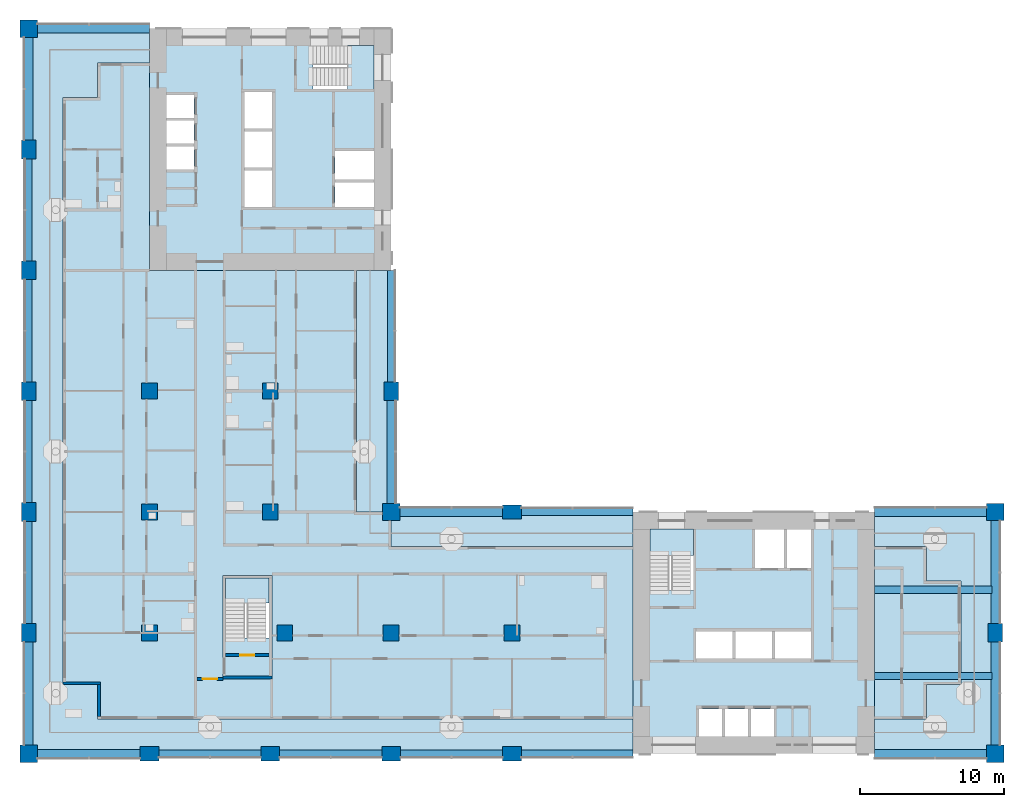
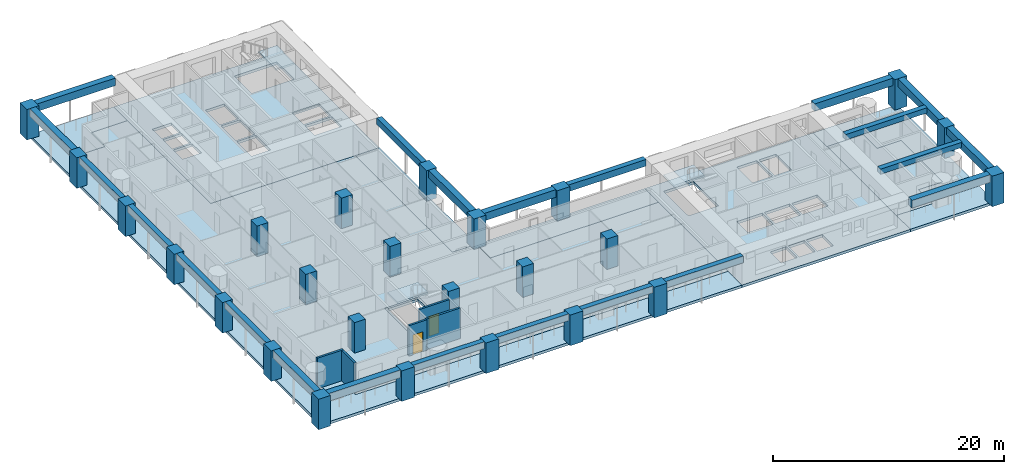
# One storey, part 1 of 18: 25 columns, 22 beams, 12 slabs, 5 walls, 2 doors, 2 openings, 3 elements without a shape of their own.
"""IFC4 building model written with IfcOpenShell, lengths in metres."""

from ifc_helpers import new_model, si_unit, direction, frame, frame_2d, origin, origin_2d, place, context, subcontext, project, spatial, polyline, rectangle, outline, extrude, material, layer, layer_set, material_profile, profile_set, type_object, element, fill, aggregate, save


model = new_model("IFC4")

# Units and contexts
model_context = context("Model", 3, precision=1e-05, world=origin(), true_north=direction((0.0, 1.0)))
body_context = subcontext(model_context, "Body", "Model", "MODEL_VIEW")
ifc_project = project(units=[si_unit("LENGTHUNIT", "METRE"), si_unit("AREAUNIT", "SQUARE_METRE"), si_unit("VOLUMEUNIT", "CUBIC_METRE"), si_unit("PLANEANGLEUNIT", "RADIAN"), si_unit("MASSUNIT", "GRAM", prefix="KILO")], contexts=[model_context])

# Site, building, storey
site_placement = place(None, origin())
site = spatial("IfcSite", under=ifc_project, at=site_placement, CompositionType="ELEMENT")
building_placement = place(site_placement, origin())
building = spatial("IfcBuilding", under=site, at=building_placement, Name="Vermilion Gate Residences", CompositionType="ELEMENT")
storey_placement = place(building_placement, frame((0.0, 0.0, 88.199951171875)))
storey = spatial("IfcBuildingStorey", under=building, at=storey_placement, Name="L21", CompositionType="ELEMENT", Elevation=88.199951171875)

# Columns
ifc_material_1 = material(Name="Concrete C70", Category="concrete")
ifc_material_profile_1 = material_profile(ifc_material_1, rectangle(XDim=1.10009765625, YDim=1.10009765625, at=origin_2d()), Name="RC-1100x1100")
ifc_profile_set_1 = profile_set([ifc_material_profile_1], Name="Concrete C70")
column_type_1 = type_object("IfcColumnType", Name="RC COLUMN 1100 X 1100 C70", PredefinedType="COLUMN", material=ifc_profile_set_1)
for number, where, z_axis, x_axis, name in (
    (1, (8.39990234375, 16.800048828125, 0.0), (0.0, 0.0, 1.0), (1.0, 0.0, 0.0), "Column 2-C L21"),
    (2, (8.39990234375, 25.199951171875, 0.0), (0.0, 0.0, 1.0), (1.0, 0.0, 0.0), "Column 2-D L21"),
    (3, (8.39990234375, 33.60009765625, 0.0), (0.0, 0.0, 1.0), (1.0, 0.0, 0.0), "Column 2-E L21"),
    (4, (17.800048828125, 16.800048828125, 0.0), (0.0, 0.0, 1.0), (1.0, 0.0, 0.0), "Column 3-C L21"),
    (5, (16.800048828125, 25.199951171875, 0.0), (0.0, 0.0, 1.0), (1.0, 0.0, 0.0), "Column 3-D L21"),
    (6, (16.800048828125, 33.60009765625, 0.0), (0.0, 0.0, 1.0), (1.0, 0.0, 0.0), "Column 3-E L21"),
    (7, (25.199951171875, 16.800048828125, 0.0), (0.0, 0.0, 1.0), (1.0, 0.0, 0.0), "Column 4-C L21"),
    (8, (33.60009765625, 16.800048828125, 0.0), (0.0, 0.0, 1.0), (1.0, 0.0, 0.0), "Column 5-C L21"),
):
    element("IfcColumn", number, at=place(storey_placement, frame(where, z_axis=z_axis, x_axis=x_axis)), inside=storey, type_object=column_type_1, Name=name, PredefinedType="COLUMN", context=body_context, shape_type="SweptSolid", body=[
        extrude(rectangle(XDim=1.10009765625, YDim=1.10009765625, at=origin_2d()), origin(), (0.0, 0.0, 1.0), 3.219970703125),
    ])
ifc_material_2 = material(Name="Concrete C70", Category="concrete")
ifc_material_profile_2 = material_profile(ifc_material_2, rectangle(XDim=1.199951171875, YDim=1.199951171875, at=origin_2d()), Name="RC-1200x1200")
ifc_profile_set_2 = profile_set([ifc_material_profile_2], Name="Concrete C70")
column_type_2 = type_object("IfcColumnType", Name="RC COLUMN 1200 X 1200 C70", PredefinedType="COLUMN", material=ifc_profile_set_2)
for number, where, z_axis, x_axis, name in (
    (9, (0.0, 8.39990234375, 0.0), (0.0, 0.0, 1.0), (1.0, 0.0, 0.0), "Column 1-B L21"),
    (10, (0.0, 58.800048828125, 0.0), (0.0, 0.0, 1.0), (1.0, 0.0, 0.0), "Column 1-H L21"),
    (11, (25.199951171875, 25.199951171875, 0.0), (0.0, 0.0, 1.0), (1.0, 0.0, 0.0), "Column 4-D L21"),
    (12, (67.199951171875, 8.39990234375, 0.0), (0.0, 0.0, 1.0), (1.0, 0.0, 0.0), "Column 9-B L21"),
    (13, (67.199951171875, 25.199951171875, 0.0), (0.0, 0.0, 1.0), (1.0, 0.0, 0.0), "Column 9-D L21"),
):
    element("IfcColumn", number, at=place(storey_placement, frame(where, z_axis=z_axis, x_axis=x_axis)), inside=storey, type_object=column_type_2, Name=name, PredefinedType="COLUMN", context=body_context, shape_type="SweptSolid", body=[
        extrude(rectangle(XDim=1.199951171875, YDim=1.199951171875, at=origin_2d()), origin(), (0.0, 0.0, 1.0), 3.219970703125),
    ])
ifc_material_3 = material(Name="Concrete C70", Category="concrete")
ifc_material_profile_3 = material_profile(ifc_material_3, rectangle(XDim=1.300048828125, YDim=1.0, at=origin_2d()), Name="RC-1300x1000")
ifc_profile_set_3 = profile_set([ifc_material_profile_3], Name="Concrete C70")
column_type_3 = type_object("IfcColumnType", Name="RC COLUMN 1300 X 1000 C70", PredefinedType="COLUMN", material=ifc_profile_set_3)
for number, where, z_axis, x_axis, name in (
    (14, (0.0, 16.800048828125, 0.0), (0.0, 0.0, 1.0), (0.0, 1.0, 0.0), "Column 1-C L21"),
    (15, (0.0, 25.199951171875, 0.0), (0.0, 0.0, 1.0), (0.0, 1.0, 0.0), "Column 1-D L21"),
    (16, (0.0, 33.60009765625, 0.0), (0.0, 0.0, 1.0), (0.0, 1.0, 0.0), "Column 1-E L21"),
    (17, (0.0, 42.0, 0.0), (0.0, 0.0, 1.0), (0.0, 1.0, 0.0), "Column 1-F L21"),
    (18, (0.0, 50.39990234375, 0.0), (0.0, 0.0, 1.0), (0.0, 1.0, 0.0), "Column 1-G L21"),
    (19, (8.39990234375, 8.39990234375, 0.0), (0.0, 0.0, 1.0), (1.0, 0.0, 0.0), "Column 2-B L21"),
    (20, (16.800048828125, 8.39990234375, 0.0), (0.0, 0.0, 1.0), (1.0, 0.0, 0.0), "Column 3-B L21"),
    (21, (25.199951171875, 8.39990234375, 0.0), (0.0, 0.0, 1.0), (1.0, 0.0, 0.0), "Column 4-B L21"),
    (22, (25.199951171875, 33.60009765625, 0.0), (0.0, 0.0, 1.0), (0.0, 1.0, 0.0), "Column 4-E L21"),
    (23, (33.60009765625, 8.39990234375, 0.0), (0.0, 0.0, 1.0), (1.0, 0.0, 0.0), "Column 5-B L21"),
    (24, (33.60009765625, 25.199951171875, 0.0), (0.0, 0.0, 1.0), (1.0, 0.0, 0.0), "Column 5-D L21"),
    (25, (67.199951171875, 16.800048828125, 0.0), (0.0, 0.0, 1.0), (0.0, 1.0, 0.0), "Column 9-C L21"),
):
    element("IfcColumn", number, at=place(storey_placement, frame(where, z_axis=z_axis, x_axis=x_axis)), inside=storey, type_object=column_type_3, Name=name, PredefinedType="COLUMN", context=body_context, shape_type="SweptSolid", body=[
        extrude(rectangle(XDim=1.300048828125, YDim=1.0, at=origin_2d()), origin(), (0.0, 0.0, 1.0), 3.219970703125),
    ])

# Beams
ifc_material_4 = material(Name="Concrete C60 red-oxide pigmented", Category="concrete")
ifc_material_profile_4 = material_profile(ifc_material_4, rectangle(XDim=0.60009765625, YDim=0.800048828125, at=origin_2d()), Name="RC-600x800")
ifc_profile_set_4 = profile_set([ifc_material_profile_4], Name="Concrete C60 red-oxide pigmented")
beam_type_1 = type_object("IfcBeamType", Name="RC CORNER EDGE BEAM 600 X 800 C60", PredefinedType="BEAM", material=ifc_profile_set_4)
for number, where, z_axis, x_axis, name in (
    (26, (0.60009765625, 8.39990234375, 2.820068359375), (1.0, 0.0, 0.0), (0.0, 1.0, 0.0), "Corner edge beam L21 1"),
    (27, (0.0, 9.0, 2.820068359375), (0.0, 1.0, 0.0), (-1.0, 0.0, 0.0), "Corner edge beam L21 2"),
):
    element("IfcBeam", number, at=place(storey_placement, frame(where, z_axis=z_axis, x_axis=x_axis)), inside=storey, type_object=beam_type_1, Name=name, PredefinedType="BEAM", context=body_context, shape_type="SweptSolid", body=[
        extrude(rectangle(XDim=0.60009765625, YDim=0.800048828125, at=origin_2d()), origin(), (0.0, 0.0, 1.0), 7.14990234375),
    ])
beam_1_placement = place(storey_placement, frame((0.60009765625, 58.800048828125, 2.820068359375), z_axis=(1.0, 0.0, 0.0), x_axis=(0.0, 1.0, 0.0)))
element("IfcBeam", 28, at=beam_1_placement, inside=storey, type_object=beam_type_1, Name="Corner edge beam L21 7", PredefinedType="BEAM", context=body_context, shape_type="SweptSolid", body=[
    extrude(rectangle(XDim=0.60009765625, YDim=0.800048828125, at=origin_2d()), origin(), (0.0, 0.0, 1.0), 7.7998046875),
])
for number, where, z_axis, x_axis, name in (
    (29, (0.0, 51.050048828125, 2.820068359375), (0.0, 1.0, 0.0), (-1.0, 0.0, 0.0), "Corner edge beam L21 8"),
    (30, (25.199951171875, 25.800048828125, 2.820068359375), (0.0, 1.0, 0.0), (-1.0, 0.0, 0.0), "Corner edge beam L21 11"),
    (31, (25.800048828125, 25.199951171875, 2.820068359375), (1.0, 0.0, 0.0), (0.0, 1.0, 0.0), "Corner edge beam L21 14"),
):
    element("IfcBeam", number, at=place(storey_placement, frame(where, z_axis=z_axis, x_axis=x_axis)), inside=storey, type_object=beam_type_1, Name=name, PredefinedType="BEAM", context=body_context, shape_type="SweptSolid", body=[
        extrude(rectangle(XDim=0.60009765625, YDim=0.800048828125, at=origin_2d()), origin(), (0.0, 0.0, 1.0), 7.14990234375),
    ])
beam_2_placement = place(storey_placement, frame((58.800048828125, 8.39990234375, 2.820068359375), z_axis=(1.0, 0.0, 0.0), x_axis=(0.0, 1.0, 0.0)))
element("IfcBeam", 32, at=beam_2_placement, inside=storey, type_object=beam_type_1, Name="Corner edge beam L21 17", PredefinedType="BEAM", context=body_context, shape_type="SweptSolid", body=[
    extrude(rectangle(XDim=0.60009765625, YDim=0.800048828125, at=origin_2d()), origin(), (0.0, 0.0, 1.0), 7.800048828125),
])
beam_3_placement = place(storey_placement, frame((67.199951171875, 9.0, 2.820068359375), z_axis=(0.0, 1.0, 0.0), x_axis=(-1.0, 0.0, 0.0)))
element("IfcBeam", 33, at=beam_3_placement, inside=storey, type_object=beam_type_1, Name="Corner edge beam L21 18", PredefinedType="BEAM", context=body_context, shape_type="SweptSolid", body=[
    extrude(rectangle(XDim=0.60009765625, YDim=0.800048828125, at=origin_2d()), origin(), (0.0, 0.0, 1.0), 7.14990234375),
])
beam_4_placement = place(storey_placement, frame((67.199951171875, 17.449951171875, 2.820068359375), z_axis=(0.0, 1.0, 0.0), x_axis=(-1.0, 0.0, 0.0)))
element("IfcBeam", 34, at=beam_4_placement, inside=storey, type_object=beam_type_1, Name="Corner edge beam L21 19", PredefinedType="BEAM", context=body_context, shape_type="SweptSolid", body=[
    extrude(rectangle(XDim=0.60009765625, YDim=0.800048828125, at=origin_2d()), origin(), (0.0, 0.0, 1.0), 7.150146484375),
])
beam_5_placement = place(storey_placement, frame((58.800048828125, 25.199951171875, 2.820068359375), z_axis=(1.0, 0.0, 0.0), x_axis=(0.0, 1.0, 0.0)))
element("IfcBeam", 35, at=beam_5_placement, inside=storey, type_object=beam_type_1, Name="Corner edge beam L21 20", PredefinedType="BEAM", context=body_context, shape_type="SweptSolid", body=[
    extrude(rectangle(XDim=0.60009765625, YDim=0.800048828125, at=origin_2d()), origin(), (0.0, 0.0, 1.0), 7.800048828125),
])
ifc_material_5 = material(Name="Concrete C60 red-oxide pigmented", Category="concrete")
ifc_material_profile_5 = material_profile(ifc_material_5, rectangle(XDim=0.5, YDim=0.699951171875, at=origin_2d()), Name="RC-500x700")
ifc_profile_set_5 = profile_set([ifc_material_profile_5], Name="Concrete C60 red-oxide pigmented")
beam_type_2 = type_object("IfcBeamType", Name="RC EDGE BEAM 500 X 700 C60", PredefinedType="BEAM", material=ifc_profile_set_5)
beam_6_placement = place(storey_placement, frame((0.0, 17.449951171875, 2.8701171875), z_axis=(0.0, 1.0, 0.0), x_axis=(-1.0, 0.0, 0.0)))
element("IfcBeam", 36, at=beam_6_placement, inside=storey, type_object=beam_type_2, Name="Edge beam L21 3", PredefinedType="BEAM", context=body_context, shape_type="SweptSolid", body=[
    extrude(rectangle(XDim=0.5, YDim=0.699951171875, at=origin_2d()), origin(), (0.0, 0.0, 1.0), 7.10009765625),
])
beam_7_placement = place(storey_placement, frame((0.0, 25.85009765625, 2.8701171875), z_axis=(0.0, 1.0, 0.0), x_axis=(-1.0, 0.0, 0.0)))
element("IfcBeam", 37, at=beam_7_placement, inside=storey, type_object=beam_type_2, Name="Edge beam L21 4", PredefinedType="BEAM", context=body_context, shape_type="SweptSolid", body=[
    extrude(rectangle(XDim=0.5, YDim=0.699951171875, at=origin_2d()), origin(), (0.0, 0.0, 1.0), 7.099853515625),
])
for number, where, z_axis, x_axis, name in (
    (38, (0.0, 34.25, 2.8701171875), (0.0, 1.0, 0.0), (-1.0, 0.0, 0.0), "Edge beam L21 5"),
    (39, (0.0, 42.64990234375, 2.8701171875), (0.0, 1.0, 0.0), (-1.0, 0.0, 0.0), "Edge beam L21 6"),
):
    element("IfcBeam", number, at=place(storey_placement, frame(where, z_axis=z_axis, x_axis=x_axis)), inside=storey, type_object=beam_type_2, Name=name, PredefinedType="BEAM", context=body_context, shape_type="SweptSolid", body=[
        extrude(rectangle(XDim=0.5, YDim=0.699951171875, at=origin_2d()), origin(), (0.0, 0.0, 1.0), 7.10009765625),
    ])
beam_8_placement = place(storey_placement, frame((9.050048828125, 8.39990234375, 2.8701171875), z_axis=(1.0, 0.0, 0.0), x_axis=(0.0, 1.0, 0.0)))
element("IfcBeam", 40, at=beam_8_placement, inside=storey, type_object=beam_type_2, Name="Edge beam L21 9", PredefinedType="BEAM", context=body_context, shape_type="SweptSolid", body=[
    extrude(rectangle(XDim=0.5, YDim=0.699951171875, at=origin_2d()), origin(), (0.0, 0.0, 1.0), 7.099853515625),
])
beam_9_placement = place(storey_placement, frame((17.449951171875, 8.39990234375, 2.8701171875), z_axis=(1.0, 0.0, 0.0), x_axis=(0.0, 1.0, 0.0)))
element("IfcBeam", 41, at=beam_9_placement, inside=storey, type_object=beam_type_2, Name="Edge beam L21 10", PredefinedType="BEAM", context=body_context, shape_type="SweptSolid", body=[
    extrude(rectangle(XDim=0.5, YDim=0.699951171875, at=origin_2d()), origin(), (0.0, 0.0, 1.0), 7.10009765625),
])
beam_10_placement = place(storey_placement, frame((25.199951171875, 34.25, 2.8701171875), z_axis=(0.0, 1.0, 0.0), x_axis=(-1.0, 0.0, 0.0)))
element("IfcBeam", 42, at=beam_10_placement, inside=storey, type_object=beam_type_2, Name="Edge beam L21 12", PredefinedType="BEAM", context=body_context, shape_type="SweptSolid", body=[
    extrude(rectangle(XDim=0.5, YDim=0.699951171875, at=origin_2d()), origin(), (0.0, 0.0, 1.0), 7.75),
])
beam_11_placement = place(storey_placement, frame((25.85009765625, 8.39990234375, 2.8701171875), z_axis=(1.0, 0.0, 0.0), x_axis=(0.0, 1.0, 0.0)))
element("IfcBeam", 43, at=beam_11_placement, inside=storey, type_object=beam_type_2, Name="Edge beam L21 13", PredefinedType="BEAM", context=body_context, shape_type="SweptSolid", body=[
    extrude(rectangle(XDim=0.5, YDim=0.699951171875, at=origin_2d()), origin(), (0.0, 0.0, 1.0), 7.099853515625),
])
for number, where, z_axis, x_axis, name in (
    (44, (34.25, 8.39990234375, 2.8701171875), (1.0, 0.0, 0.0), (0.0, 1.0, 0.0), "Edge beam L21 15"),
    (45, (34.25, 25.199951171875, 2.8701171875), (1.0, 0.0, 0.0), (0.0, 1.0, 0.0), "Edge beam L21 16"),
):
    element("IfcBeam", number, at=place(storey_placement, frame(where, z_axis=z_axis, x_axis=x_axis)), inside=storey, type_object=beam_type_2, Name=name, PredefinedType="BEAM", context=body_context, shape_type="SweptSolid", body=[
        extrude(rectangle(XDim=0.5, YDim=0.699951171875, at=origin_2d()), origin(), (0.0, 0.0, 1.0), 7.75),
    ])
ifc_material_6 = material(Name="Concrete C60", Category="concrete")
ifc_material_profile_6 = material_profile(ifc_material_6, rectangle(XDim=0.5, YDim=0.550048828125, at=origin_2d()), Name="RC-500x550")
ifc_profile_set_6 = profile_set([ifc_material_profile_6], Name="Concrete C60")
beam_type_3 = type_object("IfcBeamType", Name="RC WING BEAM 500 X 550 C60", PredefinedType="BEAM", material=ifc_profile_set_6)
for number, where, z_axis, x_axis, name in (
    (46, (58.800048828125, 13.800048828125, 2.945068359375), (1.0, 0.0, 0.0), (0.0, 1.0, 0.0), "Wing-end beam L21 1"),
    (47, (58.800048828125, 19.800048828125, 2.945068359375), (1.0, 0.0, 0.0), (0.0, 1.0, 0.0), "Wing-end beam L21 2"),
):
    element("IfcBeam", number, at=place(storey_placement, frame(where, z_axis=z_axis, x_axis=x_axis)), inside=storey, type_object=beam_type_3, Name=name, PredefinedType="BEAM", context=body_context, shape_type="SweptSolid", body=[
        extrude(rectangle(XDim=0.5, YDim=0.550048828125, at=origin_2d()), origin(), (0.0, 0.0, 1.0), 8.14990234375),
    ])

# Slabs
ifc_material_7 = material(Name="Concrete C50", Category="concrete")
ifc_layer_1 = layer(ifc_material_7, 0.280029296875)
ifc_layer_set_1 = layer_set([ifc_layer_1], Name="RC CORE FLOOR SLAB 280 C50")
slab_type_1 = type_object("IfcSlabType", Name="RC CORE FLOOR SLAB 280 C50", PredefinedType="FLOOR", material=ifc_layer_set_1)
slab_1_placement = place(storey_placement, frame((0.0, 0.0, -0.280029296875)))
element("IfcSlab", 48, at=slab_1_placement, inside=storey, type_object=slab_type_1, Name="Core floor slab A21", PredefinedType="FLOOR", context=body_context, shape_type="SweptSolid", body=[
    extrude(outline(polyline([(42.0, 8.39990234375), (58.800048828125, 8.39990234375), (58.800048828125, 25.199951171875), (42.0, 25.199951171875), (42.0, 8.39990234375)]), holes=[polyline([(46.60009765625, 11.5), (48.199951171875, 11.5), (48.199951171875, 9.60009765625), (46.60009765625, 9.60009765625), (46.60009765625, 11.5)]), polyline([(48.39990234375, 11.5), (50.0, 11.5), (50.0, 9.60009765625), (48.39990234375, 9.60009765625), (48.39990234375, 11.5)]), polyline([(50.199951171875, 11.5), (51.800048828125, 11.5), (51.800048828125, 9.60009765625), (50.199951171875, 9.60009765625), (50.199951171875, 11.5)]), polyline([(46.39990234375, 16.89990234375), (48.933349609375, 16.89990234375), (48.933349609375, 15.0), (46.39990234375, 15.0), (46.39990234375, 16.89990234375)]), polyline([(49.13330078125, 16.89990234375), (51.666748046875, 16.89990234375), (51.666748046875, 15.0), (49.13330078125, 15.0), (49.13330078125, 16.89990234375)]), polyline([(51.86669921875, 16.89990234375), (54.39990234375, 16.89990234375), (54.39990234375, 15.0), (51.86669921875, 15.0), (51.86669921875, 16.89990234375)]), polyline([(43.199951171875, 24.0), (46.199951171875, 24.0), (46.199951171875, 19.75), (43.199951171875, 19.75), (43.199951171875, 24.0)]), polyline([(52.5, 24.0), (52.5, 21.300048828125), (50.5, 21.300048828125), (50.5, 24.0), (52.5, 24.0)]), polyline([(54.39990234375, 24.0), (54.39990234375, 21.300048828125), (52.699951171875, 21.300048828125), (52.699951171875, 24.0), (54.39990234375, 24.0)])]), origin(), (0.0, 0.0, 1.0), 0.280029296875),
])
slab_2_placement = place(storey_placement, frame((0.0, 0.0, -0.280029296875)))
element("IfcSlab", 49, at=slab_2_placement, inside=storey, type_object=slab_type_1, Name="Core floor slab B21", PredefinedType="FLOOR", context=body_context, shape_type="SweptSolid", body=[
    extrude(outline(polyline([(8.39990234375, 42.0), (25.199951171875, 42.0), (25.199951171875, 58.800048828125), (8.39990234375, 58.800048828125), (8.39990234375, 42.0)]), holes=[polyline([(21.300048828125, 48.10009765625), (24.0, 48.10009765625), (24.0, 46.39990234375), (21.300048828125, 46.39990234375), (21.300048828125, 48.10009765625)]), polyline([(15.0, 48.933349609375), (16.89990234375, 48.933349609375), (16.89990234375, 46.39990234375), (15.0, 46.39990234375), (15.0, 48.933349609375)]), polyline([(21.300048828125, 50.300048828125), (24.0, 50.300048828125), (24.0, 48.300048828125), (21.300048828125, 48.300048828125), (21.300048828125, 50.300048828125)]), polyline([(9.60009765625, 50.60009765625), (11.5, 50.60009765625), (11.5, 49.0), (9.60009765625, 49.0), (9.60009765625, 50.60009765625)]), polyline([(15.0, 51.666748046875), (16.89990234375, 51.666748046875), (16.89990234375, 49.13330078125), (15.0, 49.13330078125), (15.0, 51.666748046875)]), polyline([(9.60009765625, 52.39990234375), (11.5, 52.39990234375), (11.5, 50.800048828125), (9.60009765625, 50.800048828125), (9.60009765625, 52.39990234375)]), polyline([(15.0, 54.39990234375), (16.89990234375, 54.39990234375), (16.89990234375, 51.86669921875), (15.0, 51.86669921875), (15.0, 54.39990234375)]), polyline([(11.5, 54.199951171875), (11.5, 52.60009765625), (9.60009765625, 52.60009765625), (9.60009765625, 54.199951171875), (11.5, 54.199951171875)]), polyline([(24.0, 57.60009765625), (24.0, 54.60009765625), (19.75, 54.60009765625), (19.75, 57.60009765625), (24.0, 57.60009765625)])]), origin(), (0.0, 0.0, 1.0), 0.280029296875),
])
slab_3_placement = place(storey_placement, frame((0.0, 0.0, -0.280029296875)))
element("IfcSlab", 50, at=slab_3_placement, inside=storey, type_object=slab_type_1, Name="Apex stair floor slab 21", PredefinedType="FLOOR", context=body_context, shape_type="SweptSolid", body=[
    extrude(outline(polyline([(13.5, 13.60009765625), (16.89990234375, 13.60009765625), (16.89990234375, 20.800048828125), (13.5, 20.800048828125), (13.5, 13.60009765625)]), holes=[polyline([(16.699951171875, 20.60009765625), (16.699951171875, 16.449951171875), (13.699951171875, 16.449951171875), (13.699951171875, 20.60009765625), (16.699951171875, 20.60009765625)])]), origin(), (0.0, 0.0, 1.0), 0.280029296875),
])
ifc_material_8 = material(Name="Concrete C50", Category="concrete")
ifc_layer_2 = layer(ifc_material_8, 0.280029296875)
ifc_layer_set_2 = layer_set([ifc_layer_2], Name="RC FLAT PLATE 280 C50")
slab_type_2 = type_object("IfcSlabType", Name="RC FLAT PLATE 280 C50", PredefinedType="FLOOR", material=ifc_layer_set_2)
slab_4_placement = place(storey_placement, frame((0.0, 0.0, -0.280029296875)))
element("IfcSlab", 51, at=slab_4_placement, inside=storey, type_object=slab_type_2, Name="Floor slab L21", PredefinedType="FLOOR", context=body_context, shape_type="SweptSolid", body=[
    extrude(outline(polyline([(22.800048828125, 25.199951171875), (22.800048828125, 42.0), (8.39990234375, 42.0), (8.39990234375, 56.39990234375), (4.800048828125, 56.39990234375), (4.800048828125, 54.0), (2.39990234375, 54.0), (2.39990234375, 13.199951171875), (4.800048828125, 13.199951171875), (4.800048828125, 10.800048828125), (42.0, 10.800048828125), (42.0, 22.800048828125), (25.199951171875, 22.800048828125), (25.199951171875, 25.199951171875), (22.800048828125, 25.199951171875)]), holes=[polyline([(13.5, 13.60009765625), (13.5, 20.800048828125), (16.89990234375, 20.800048828125), (16.89990234375, 13.60009765625), (13.5, 13.60009765625)])]), origin(), (0.0, 0.0, 1.0), 0.280029296875),
])
slab_5_placement = place(storey_placement, frame((0.0, 0.0, -0.280029296875)))
element("IfcSlab", 52, at=slab_5_placement, inside=storey, type_object=slab_type_2, Name="Floor slab L21", PredefinedType="FLOOR", context=body_context, shape_type="SweptSolid", body=[
    extrude(outline(polyline([(58.800048828125, 22.800048828125), (58.800048828125, 10.800048828125), (62.39990234375, 10.800048828125), (62.39990234375, 13.199951171875), (64.800048828125, 13.199951171875), (64.800048828125, 20.39990234375), (62.39990234375, 20.39990234375), (62.39990234375, 22.800048828125), (58.800048828125, 22.800048828125)])), origin(), (0.0, 0.0, 1.0), 0.280029296875),
])
ifc_material_9 = material(Name="Concrete C50 red-oxide pigmented", Category="concrete")
ifc_layer_3 = layer(ifc_material_9, 0.280029296875)
ifc_layer_set_3 = layer_set([ifc_layer_3], Name="RC LOGGIA SLAB 280 C50")
slab_type_3 = type_object("IfcSlabType", Name="RC LOGGIA SLAB 280 C50", PredefinedType="FLOOR", material=ifc_layer_set_3)
slab_6_placement = place(storey_placement, frame((0.0, 0.0, -0.280029296875)))
element("IfcSlab", 53, at=slab_6_placement, inside=storey, type_object=slab_type_3, Name="Loggia slab L21", PredefinedType="FLOOR", context=body_context, shape_type="SweptSolid", body=[
    extrude(outline(polyline([(0.0, 58.800048828125), (0.0, 8.39990234375), (42.0, 8.39990234375), (42.0, 10.800048828125), (4.800048828125, 10.800048828125), (4.800048828125, 13.199951171875), (2.39990234375, 13.199951171875), (2.39990234375, 54.0), (4.800048828125, 54.0), (4.800048828125, 56.39990234375), (8.39990234375, 56.39990234375), (8.39990234375, 58.800048828125), (0.0, 58.800048828125)])), origin(), (0.0, 0.0, 1.0), 0.280029296875),
])
slab_7_placement = place(storey_placement, frame((0.0, 0.0, -0.280029296875)))
element("IfcSlab", 54, at=slab_7_placement, inside=storey, type_object=slab_type_3, Name="Loggia slab L21", PredefinedType="FLOOR", context=body_context, shape_type="SweptSolid", body=[
    extrude(outline(polyline([(64.800048828125, 20.39990234375), (64.800048828125, 13.199951171875), (62.39990234375, 13.199951171875), (62.39990234375, 10.800048828125), (58.800048828125, 10.800048828125), (58.800048828125, 8.39990234375), (67.199951171875, 8.39990234375), (67.199951171875, 25.199951171875), (58.800048828125, 25.199951171875), (58.800048828125, 22.800048828125), (62.39990234375, 22.800048828125), (62.39990234375, 20.39990234375), (64.800048828125, 20.39990234375)])), origin(), (0.0, 0.0, 1.0), 0.280029296875),
])
slab_8_placement = place(storey_placement, frame((0.0, 0.0, -0.280029296875)))
element("IfcSlab", 55, at=slab_8_placement, inside=storey, type_object=slab_type_3, Name="Loggia slab L21", PredefinedType="FLOOR", context=body_context, shape_type="SweptSolid", body=[
    extrude(outline(polyline([(25.199951171875, 22.800048828125), (42.0, 22.800048828125), (42.0, 25.199951171875), (25.199951171875, 25.199951171875), (25.199951171875, 22.800048828125)])), origin(), (0.0, 0.0, 1.0), 0.280029296875),
])
slab_9_placement = place(storey_placement, frame((0.0, 0.0, -0.280029296875)))
element("IfcSlab", 56, at=slab_9_placement, inside=storey, type_object=slab_type_3, Name="Loggia slab L21", PredefinedType="FLOOR", context=body_context, shape_type="SweptSolid", body=[
    extrude(outline(polyline([(25.199951171875, 25.199951171875), (25.199951171875, 42.0), (22.800048828125, 42.0), (22.800048828125, 25.199951171875), (25.199951171875, 25.199951171875)])), origin(), (0.0, 0.0, 1.0), 0.280029296875),
])

# Stair, slab
ifc_material_10 = material(Name="Concrete C50", Category="concrete")
stair_type = type_object("IfcStairType", Name="SPECIAL ESCAPE STAIR 1300", PredefinedType="HALF_TURN_STAIR", material=ifc_material_10)
stair_1_placement = place(storey_placement, origin())
stair_1 = element("IfcStair", 57, at=stair_1_placement, inside=storey, type_object=stair_type, Name="Special escape stair STA1-21", PredefinedType="HALF_TURN_STAIR")
ifc_material_11 = material(Name="Concrete C50", Category="concrete")
ifc_layer_4 = layer(ifc_material_11, 0.199951171875)
ifc_layer_set_4 = layer_set([ifc_layer_4], Name="STAIR LANDING 200 C50")
slab_type_4 = type_object("IfcSlabType", Name="STAIR LANDING 200 C50", PredefinedType="LANDING", material=ifc_layer_set_4)
slab_10_placement = place(storey_placement, frame((0.0, 0.0, 1.550048828125)))
slab_10 = element("IfcSlab", 58, at=slab_10_placement, type_object=slab_type_4, Name="STA1-21 landing 1", PredefinedType="LANDING", context=body_context, shape_type="SweptSolid", body=[
    extrude(outline(polyline([(46.219970703125, 22.179931640625), (46.219970703125, 24.02001953125), (43.179931640625, 24.02001953125), (43.179931640625, 22.179931640625), (46.219970703125, 22.179931640625)])), origin(), (0.0, 0.0, 1.0), 0.199951171875),
])
aggregate(stair_1, [slab_10])

stair_2_placement = place(storey_placement, origin())
stair_2 = element("IfcStair", 59, at=stair_2_placement, inside=storey, type_object=stair_type, Name="Special escape stair STB1-21", PredefinedType="HALF_TURN_STAIR")
slab_11_placement = place(storey_placement, frame((0.0, 0.0, 1.550048828125)))
slab_11 = element("IfcSlab", 60, at=slab_11_placement, type_object=slab_type_4, Name="STB1-21 landing 1", PredefinedType="LANDING", context=body_context, shape_type="SweptSolid", body=[
    extrude(outline(polyline([(24.02001953125, 54.580078125), (24.02001953125, 57.6201171875), (22.179931640625, 57.6201171875), (22.179931640625, 54.580078125), (24.02001953125, 54.580078125)])), origin(), (0.0, 0.0, 1.0), 0.199951171875),
])
aggregate(stair_2, [slab_11])

stair_3_placement = place(storey_placement, origin())
stair_3 = element("IfcStair", 61, at=stair_3_placement, inside=storey, type_object=stair_type, Name="Special escape stair STC1-21", PredefinedType="HALF_TURN_STAIR")
slab_12_placement = place(storey_placement, frame((0.0, 0.0, 1.550048828125)))
slab_12 = element("IfcSlab", 62, at=slab_12_placement, type_object=slab_type_4, Name="STC1-21 landing 1", PredefinedType="LANDING", context=body_context, shape_type="SweptSolid", body=[
    extrude(outline(polyline([(16.719970703125, 18.8798828125), (16.719970703125, 20.6201171875), (13.679931640625, 20.6201171875), (13.679931640625, 18.8798828125), (16.719970703125, 18.8798828125)])), origin(), (0.0, 0.0, 1.0), 0.199951171875),
])
aggregate(stair_3, [slab_12])

# Walls
ifc_material_12 = material(Name="Insulated steel stud wall with terracotta rainscreen", Category="masonry")
ifc_layer_5 = layer(ifc_material_12, 0.199951171875)
ifc_layer_set_5 = layer_set([ifc_layer_5], Name="EXTERNAL WALL 200 TERRACOTTA RAINSCREEN")
wall_type_1 = type_object("IfcWallType", Name="EXTERNAL WALL 200 TERRACOTTA RAINSCREEN", PredefinedType="SOLIDWALL", material=ifc_layer_set_5)
wall_1_placement = place(storey_placement, frame((2.39990234375, 13.300048828125, 0.0), z_axis=(0.0, 0.0, 1.0), x_axis=(1.0, 0.0, 0.0)))
element("IfcWall", 63, at=wall_1_placement, inside=storey, type_object=wall_type_1, Name="External wall", PredefinedType="SOLIDWALL", context=body_context, shape_type="SweptSolid", body=[
    extrude(rectangle(XDim=2.60009765625, YDim=0.199951171875, at=frame_2d((1.300048828125, 0.0))), origin(), (0.0, 0.0, 1.0), 3.219970703125),
])
wall_2_placement = place(storey_placement, frame((4.89990234375, 13.199951171875, 0.0), z_axis=(0.0, 0.0, 1.0), x_axis=(0.0, -1.0, 0.0)))
element("IfcWall", 64, at=wall_2_placement, inside=storey, type_object=wall_type_1, Name="External wall", PredefinedType="SOLIDWALL", context=body_context, shape_type="SweptSolid", body=[
    extrude(rectangle(XDim=2.199951171875, YDim=0.199951171875, at=frame_2d((1.10009765625, 0.0))), origin(), (0.0, 0.0, 1.0), 3.219970703125),
])

# Wall, opening, door
ifc_material_13 = material(Name="Fire-rated plasterboard on steel studs", Category="steel")
ifc_layer_6 = layer(ifc_material_13, 0.199951171875)
ifc_layer_set_6 = layer_set([ifc_layer_6], Name="PARTY WALL 200 EI 120")
wall_type_2 = type_object("IfcWallType", Name="PARTY WALL 200 EI 120", PredefinedType="PARTITIONING", material=ifc_layer_set_6)
wall_3_placement = place(storey_placement, frame((11.699951171875, 13.60009765625, 0.0), z_axis=(0.0, 0.0, 1.0), x_axis=(1.0, 0.0, 0.0)))
wall_3 = element("IfcWall", 65, at=wall_3_placement, inside=storey, type_object=wall_type_2, Name="Party and corridor wall", PredefinedType="PARTITIONING", context=body_context, shape_type="SweptSolid", body=[
    extrude(rectangle(XDim=1.800048828125, YDim=0.199951171875, at=frame_2d((0.89990234375, 0.0))), origin(), (0.0, 0.0, 1.0), 3.219970703125),
])
opening_1_placement = place(wall_3_placement, frame((0.39990234375, 0.0, 0.0)))
opening_1 = element("IfcOpeningElement", 66, at=opening_1_placement, cuts=wall_3, Name="Opening DA19001", PredefinedType="OPENING", context=body_context, shape_type="SweptSolid", body=[
    extrude(rectangle(XDim=1.0, YDim=2.10009765625, at=frame_2d((0.5, 1.050048828125))), frame((0.0, 0.10986328125, 0.0), z_axis=(0.0, -1.0, 0.0), x_axis=(1.0, 0.0, 0.0)), (0.0, 0.0, 1.0), 0.219970703125),
])
ifc_material_14 = material(Name="Steel", Category="steel")
door_type_1 = type_object("IfcDoorType", Name="ENTRANCE DOOR 1000 X 2100 FD30", OperationType="SINGLE_SWING_LEFT", PredefinedType="DOOR", material=ifc_material_14)
door_1_placement = place(opening_1_placement, frame((1.0, 0.0, 0.0), z_axis=(0.0, 0.0, 1.0), x_axis=(-1.0, 0.0, 0.0)))
door_1 = element("IfcDoor", 67, at=door_1_placement, inside=storey, type_object=door_type_1, Name="Entrance door", OperationType="SINGLE_SWING_RIGHT", OverallHeight=2.10009765625, OverallWidth=1.0, PredefinedType="DOOR", context=body_context, shape_type="SweptSolid", body=[
    extrude(rectangle(XDim=1.0, YDim=2.10009765625, at=frame_2d((0.5, 1.050048828125))), frame((0.0, 0.02490234375, 0.0), z_axis=(0.0, -1.0, 0.0), x_axis=(1.0, 0.0, 0.0)), (0.0, 0.0, 1.0), 0.050048828125),
])
fill(opening_1, door_1)

# Wall
ifc_material_15 = material(Name="Concrete C60", Category="concrete")
ifc_layer_7 = layer(ifc_material_15, 0.199951171875)
ifc_layer_set_7 = layer_set([ifc_layer_7], Name="RC CORE INTERNAL WALL 200 C60")
wall_type_3 = type_object("IfcWallType", Name="RC CORE INTERNAL WALL 200 C60", PredefinedType="SHEAR", material=ifc_layer_set_7)
wall_4_placement = place(storey_placement, frame((13.5, 13.699951171875, 0.0), z_axis=(0.0, 0.0, 1.0), x_axis=(1.0, 0.0, 0.0)))
element("IfcWall", 68, at=wall_4_placement, inside=storey, type_object=wall_type_3, Name="Core internal wall C21-S", PredefinedType="SHEAR", context=body_context, shape_type="SweptSolid", body=[
    extrude(rectangle(XDim=3.39990234375, YDim=0.199951171875, at=frame_2d((1.699951171875, 0.0))), origin(), (0.0, 0.0, 1.0), 3.219970703125),
])

# Wall, opening, door
wall_5_placement = place(storey_placement, frame((13.699951171875, 15.25, 0.0), z_axis=(0.0, 0.0, 1.0), x_axis=(1.0, 0.0, 0.0)))
wall_5 = element("IfcWall", 69, at=wall_5_placement, inside=storey, type_object=wall_type_3, Name="Core internal wall C21-P", PredefinedType="SHEAR", context=body_context, shape_type="SweptSolid", body=[
    extrude(rectangle(XDim=3.0, YDim=0.199951171875, at=frame_2d((1.5, 0.0))), origin(), (0.0, 0.0, 1.0), 3.219970703125),
])
opening_2_placement = place(wall_5_placement, frame((1.0, 0.0, 0.0)))
opening_2 = element("IfcOpeningElement", 70, at=opening_2_placement, cuts=wall_5, Name="Opening DK21202", PredefinedType="OPENING", context=body_context, shape_type="SweptSolid", body=[
    extrude(rectangle(XDim=1.0, YDim=2.10009765625, at=frame_2d((0.5, 1.050048828125))), frame((0.0, 0.10986328125, 0.0), z_axis=(0.0, -1.0, 0.0), x_axis=(1.0, 0.0, 0.0)), (0.0, 0.0, 1.0), 0.219970703125),
])
ifc_material_16 = material(Name="Steel", Category="steel")
door_type_2 = type_object("IfcDoorType", Name="FIRE DOOR FD60 1000 X 2100", OperationType="SINGLE_SWING_LEFT", PredefinedType="DOOR", material=ifc_material_16)
door_2_placement = place(opening_2_placement, origin())
door_2 = element("IfcDoor", 71, at=door_2_placement, inside=storey, type_object=door_type_2, Name="Stair door C21", OperationType="SINGLE_SWING_LEFT", OverallHeight=2.10009765625, OverallWidth=1.0, PredefinedType="DOOR", context=body_context, shape_type="SweptSolid", body=[
    extrude(rectangle(XDim=1.0, YDim=2.10009765625, at=frame_2d((0.5, 1.050048828125))), frame((0.0, 0.02490234375, 0.0), z_axis=(0.0, -1.0, 0.0), x_axis=(1.0, 0.0, 0.0)), (0.0, 0.0, 1.0), 0.050048828125),
])
fill(opening_2, door_2)

save(model, "model.ifc")
